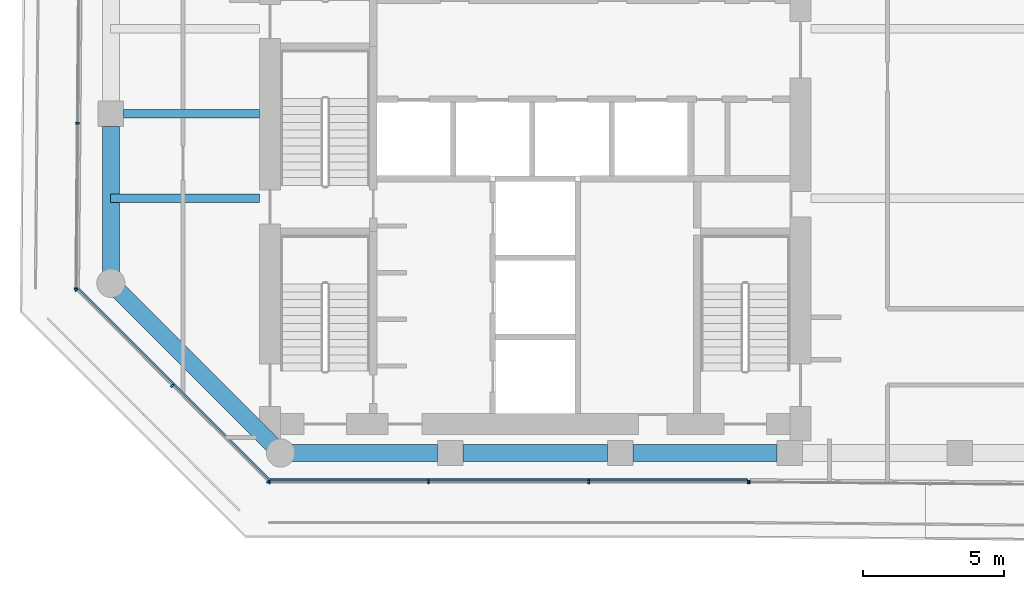
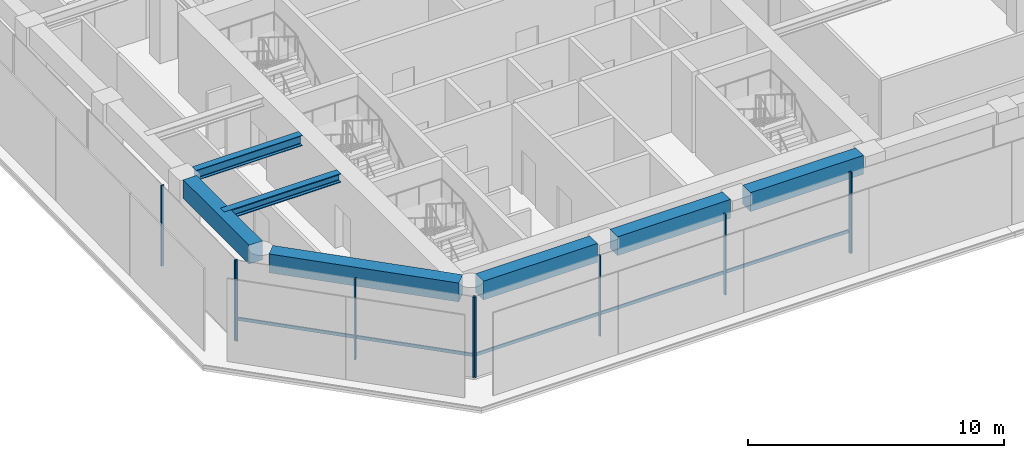
# One storey, part 2 of 23: 12 members, 7 beams, 4 elements without a shape of their own.
"""IFC4 building model written with IfcOpenShell, lengths in metres."""

from ifc_helpers import new_model, si_unit, direction, frame, origin, origin_2d, place, context, subcontext, project, spatial, rectangle, i_section, extrude, material, layer, layer_set, material_profile, profile_set, type_object, element, aggregate, save


model = new_model("IFC4")

# Units and contexts
model_context = context("Model", 3, precision=1e-05, world=origin(), true_north=direction((0.0, 1.0)))
body_context = subcontext(model_context, "Body", "Model", "MODEL_VIEW")
ifc_project = project(units=[si_unit("LENGTHUNIT", "METRE"), si_unit("AREAUNIT", "SQUARE_METRE"), si_unit("VOLUMEUNIT", "CUBIC_METRE"), si_unit("PLANEANGLEUNIT", "RADIAN"), si_unit("MASSUNIT", "GRAM", prefix="KILO")], contexts=[model_context])

# Site, building, storey
site_placement = place(None, origin())
site = spatial("IfcSite", under=ifc_project, at=site_placement, CompositionType="ELEMENT")
building_placement = place(site_placement, origin())
building = spatial("IfcBuilding", under=site, at=building_placement, Name="Welwitschia Terrace Campus", CompositionType="ELEMENT")
storey_placement = place(building_placement, frame((0.0, 0.0, 113.0)))
storey = spatial("IfcBuildingStorey", under=building, at=storey_placement, Name="L25", CompositionType="ELEMENT", Elevation=113.0)

# Beam
ifc_material_1 = material(Name="Steel S355", Category="steel")
ifc_material_profile_1 = material_profile(ifc_material_1, i_section(OverallWidth=0.306884765625, OverallDepth=0.431884765625, WebThickness=0.02099609375, FlangeThickness=0.0400390625, FilletRadius=0.027099609375, at=origin_2d()))
ifc_profile_set_1 = profile_set([ifc_material_profile_1], Name="Steel S355")
beam_type_1 = type_object("IfcBeamType", Name="Interior girder HE 400 M", PredefinedType="BEAM", material=ifc_profile_set_1)
beam_1_placement = place(storey_placement, frame((-0.010009765625, 13.0, 3.634033203125), z_axis=(1.0, 0.0, 0.0), x_axis=(0.0, 1.0, 0.0)))
element("IfcBeam", 1, at=beam_1_placement, inside=storey, type_object=beam_type_1, Name="Girder GB3", PredefinedType="BEAM", context=body_context, shape_type="SweptSolid", body=[
    extrude(i_section(OverallWidth=0.306884765625, OverallDepth=0.431884765625, WebThickness=0.02099609375, FlangeThickness=0.0400390625, FilletRadius=0.027099609375, at=origin_2d()), origin(), (0.0, 0.0, 1.0), 5.259033203125),
])

# Curtain wall, members
ifc_material_2 = material(Name="Bronze anodised aluminium", Category="aluminium")
ifc_layer = layer(ifc_material_2, 0.1201171875)
ifc_layer_set = layer_set([ifc_layer], Name="Bronze anodised aluminium")
curtain_wall_type = type_object("IfcCurtainWallType", Name="Curtain wall CW2 tower 6000", PredefinedType="NOTDEFINED", material=ifc_layer_set)
curtain_wall_1_placement = place(storey_placement, origin())
curtain_wall_1 = element("IfcCurtainWall", 2, at=curtain_wall_1_placement, inside=storey, type_object=curtain_wall_type, Name="CW L25.2.0", PredefinedType="NOTDEFINED")
ifc_material_3 = material(Name="Bronze anodised aluminium", Category="aluminium")
ifc_material_profile_2 = material_profile(ifc_material_3, rectangle(XDim=0.1201171875, YDim=0.06005859375, at=origin_2d()))
ifc_profile_set_2 = profile_set([ifc_material_profile_2], Name="Bronze anodised aluminium")
member_type_1 = type_object("IfcMemberType", Name="Mullion 60x120", PredefinedType="MULLION", material=ifc_profile_set_2)
member_1_placement = place(storey_placement, frame((-1.183837890625, 15.65673828125, 0.0), z_axis=(0.0, 0.0, 1.0), x_axis=(0.999961923064, -0.008726535498, 0.0)))
member_1 = element("IfcMember", 3, at=member_1_placement, type_object=member_type_1, Name="Mullion L25.2.0.3", PredefinedType="MULLION", context=body_context, shape_type="SweptSolid", body=[
    extrude(rectangle(XDim=0.1201171875, YDim=0.06005859375, at=origin_2d()), origin(), (0.0, 0.0, 1.0), 3.85009765625),
])
member_2_placement = place(storey_placement, frame((-1.23486328125, 9.81103515625, 0.0), z_axis=(0.0, 0.0, 1.0), x_axis=(0.999961923064, -0.008726535498, 0.0)))
member_2 = element("IfcMember", 4, at=member_2_placement, type_object=member_type_1, Name="Mullion L25.2.0.4", PredefinedType="MULLION", context=body_context, shape_type="SweptSolid", body=[
    extrude(rectangle(XDim=0.1201171875, YDim=0.06005859375, at=origin_2d()), origin(), (0.0, 0.0, 1.0), 3.85009765625),
])
aggregate(curtain_wall_1, [member_1, member_2])

curtain_wall_2_placement = place(storey_placement, origin())
curtain_wall_2 = element("IfcCurtainWall", 5, at=curtain_wall_2_placement, inside=storey, type_object=curtain_wall_type, Name="CW L25.3.0", PredefinedType="NOTDEFINED")
member_3_placement = place(storey_placement, frame((-1.2138671875, 9.759765625, 0.0), z_axis=(0.0, 0.0, 1.0), x_axis=(0.707238845283, 0.70697469242, 0.0)))
member_3 = element("IfcMember", 6, at=member_3_placement, type_object=member_type_1, Name="Mullion L25.3.0.0", PredefinedType="MULLION", context=body_context, shape_type="SweptSolid", body=[
    extrude(rectangle(XDim=0.1201171875, YDim=0.06005859375, at=origin_2d()), origin(), (0.0, 0.0, 1.0), 3.85009765625),
])
member_4_placement = place(storey_placement, frame((2.169189453125, 6.37548828125, 0.0), z_axis=(0.0, 0.0, 1.0), x_axis=(0.707238845283, 0.70697469242, 0.0)))
member_4 = element("IfcMember", 7, at=member_4_placement, type_object=member_type_1, Name="Mullion L25.3.0.1", PredefinedType="MULLION", context=body_context, shape_type="SweptSolid", body=[
    extrude(rectangle(XDim=0.1201171875, YDim=0.06005859375, at=origin_2d()), origin(), (0.0, 0.0, 1.0), 3.85009765625),
])
member_5_placement = place(storey_placement, frame((5.55224609375, 2.9912109375, 0.0), z_axis=(0.0, 0.0, 1.0), x_axis=(0.707238845283, 0.70697469242, 0.0)))
member_5 = element("IfcMember", 8, at=member_5_placement, type_object=member_type_1, Name="Mullion L25.3.0.2", PredefinedType="MULLION", context=body_context, shape_type="SweptSolid", body=[
    extrude(rectangle(XDim=0.1201171875, YDim=0.06005859375, at=origin_2d()), origin(), (0.0, 0.0, 1.0), 3.85009765625),
])

curtain_wall_3_placement = place(storey_placement, origin())
curtain_wall_3 = element("IfcCurtainWall", 9, at=curtain_wall_3_placement, inside=storey, type_object=curtain_wall_type, Name="CW L25.4.0", PredefinedType="NOTDEFINED")
member_6_placement = place(storey_placement, frame((5.603271484375, 2.969970703125, 0.0), z_axis=(0.0, 0.0, 1.0), x_axis=(0.0, 1.0, 0.0)))
member_6 = element("IfcMember", 10, at=member_6_placement, type_object=member_type_1, Name="Mullion L25.4.0.0", PredefinedType="MULLION", context=body_context, shape_type="SweptSolid", body=[
    extrude(rectangle(XDim=0.1201171875, YDim=0.06005859375, at=origin_2d()), origin(), (0.0, 0.0, 1.0), 3.85009765625),
])
member_7_placement = place(storey_placement, frame((11.231201171875, 2.969970703125, 0.0), z_axis=(0.0, 0.0, 1.0), x_axis=(0.0, 1.0, 0.0)))
member_7 = element("IfcMember", 11, at=member_7_placement, type_object=member_type_1, Name="Mullion L25.4.0.1", PredefinedType="MULLION", context=body_context, shape_type="SweptSolid", body=[
    extrude(rectangle(XDim=0.1201171875, YDim=0.06005859375, at=origin_2d()), origin(), (0.0, 0.0, 1.0), 3.85009765625),
])
member_8_placement = place(storey_placement, frame((16.88916015625, 2.969970703125, 0.0), z_axis=(0.0, 0.0, 1.0), x_axis=(0.0, 1.0, 0.0)))
member_8 = element("IfcMember", 12, at=member_8_placement, type_object=member_type_1, Name="Mullion L25.4.0.2", PredefinedType="MULLION", context=body_context, shape_type="SweptSolid", body=[
    extrude(rectangle(XDim=0.1201171875, YDim=0.06005859375, at=origin_2d()), origin(), (0.0, 0.0, 1.0), 3.85009765625),
])
member_9_placement = place(storey_placement, frame((22.51708984375, 2.969970703125, 0.0), z_axis=(0.0, 0.0, 1.0), x_axis=(0.0, 1.0, 0.0)))
member_9 = element("IfcMember", 13, at=member_9_placement, type_object=member_type_1, Name="Mullion L25.4.0.3", PredefinedType="MULLION", context=body_context, shape_type="SweptSolid", body=[
    extrude(rectangle(XDim=0.1201171875, YDim=0.06005859375, at=origin_2d()), origin(), (0.0, 0.0, 1.0), 3.85009765625),
])

# Curtain wall, member
curtain_wall_4_placement = place(storey_placement, origin())
curtain_wall_4 = element("IfcCurtainWall", 14, at=curtain_wall_4_placement, inside=storey, type_object=curtain_wall_type, Name="CW L25.5.0", PredefinedType="NOTDEFINED")
member_10_placement = place(storey_placement, frame((22.5771484375, 2.9697265625, 0.0), z_axis=(0.0, 0.0, 1.0), x_axis=(0.008726535498, 0.999961923064, 0.0)))
member_10 = element("IfcMember", 15, at=member_10_placement, type_object=member_type_1, Name="Mullion L25.5.0.0", PredefinedType="MULLION", context=body_context, shape_type="SweptSolid", body=[
    extrude(rectangle(XDim=0.1201171875, YDim=0.06005859375, at=origin_2d()), origin(), (0.0, 0.0, 1.0), 3.85009765625),
])
aggregate(curtain_wall_4, [member_10])

# Beams
ifc_material_4 = material(Name="Steel S355", Category="steel")
ifc_material_profile_3 = material_profile(ifc_material_4, i_section(OverallWidth=0.300048828125, OverallDepth=0.5, WebThickness=0.014404296875, FlangeThickness=0.028076171875, FilletRadius=0.027099609375, at=origin_2d()))
ifc_profile_set_3 = profile_set([ifc_material_profile_3], Name="Steel S355")
beam_type_2 = type_object("IfcBeamType", Name="Primary beam HE 500 B", PredefinedType="BEAM", material=ifc_profile_set_3)
beam_2_placement = place(storey_placement, frame((0.450439453125, 16.0, 3.60009765625), z_axis=(1.0, 0.0, 0.0), x_axis=(0.0, 1.0, 0.0)))
element("IfcBeam", 16, at=beam_2_placement, inside=storey, type_object=beam_type_2, Name="Primary beam PB3", PredefinedType="BEAM", context=body_context, shape_type="SweptSolid", body=[
    extrude(i_section(OverallWidth=0.300048828125, OverallDepth=0.5, WebThickness=0.014404296875, FlangeThickness=0.028076171875, FilletRadius=0.027099609375, at=origin_2d()), origin(), (0.0, 0.0, 1.0), 4.799560546875),
])
ifc_material_5 = material(Name="Concrete C60/75", Category="concrete")
ifc_material_profile_4 = material_profile(ifc_material_5, rectangle(XDim=0.60009765625, YDim=0.89990234375, at=origin_2d()))
ifc_profile_set_4 = profile_set([ifc_material_profile_4], Name="Concrete C60/75")
beam_type_3 = type_object("IfcBeamType", Name="Ring spandrel 600x900", PredefinedType="SPANDREL", material=ifc_profile_set_4)
beam_3_placement = place(storey_placement, frame((0.283203125, 9.716796875, 3.39990234375), z_axis=(0.707106781187, -0.707106781187, 0.0), x_axis=(0.707106781187, 0.707106781187, 0.0)))
element("IfcBeam", 17, at=beam_3_placement, inside=storey, type_object=beam_type_3, Name="Spandrel SP2", PredefinedType="SPANDREL", context=body_context, shape_type="SweptSolid", body=[
    extrude(rectangle(XDim=0.60009765625, YDim=0.89990234375, at=origin_2d()), origin(), (0.0, 0.0, 1.0), 7.684326171875),
])
beam_4_placement = place(storey_placement, frame((6.400390625, 4.0, 3.39990234375), z_axis=(1.0, 0.0, 0.0), x_axis=(0.0, 1.0, 0.0)))
element("IfcBeam", 18, at=beam_4_placement, inside=storey, type_object=beam_type_3, Name="Spandrel SP2", PredefinedType="SPANDREL", context=body_context, shape_type="SweptSolid", body=[
    extrude(rectangle(XDim=0.60009765625, YDim=0.89990234375, at=origin_2d()), origin(), (0.0, 0.0, 1.0), 5.149169921875),
])
for number, where, z_axis, x_axis, name in (
    (19, (12.450439453125, 4.0, 3.39990234375), (1.0, 0.0, 0.0), (0.0, 1.0, 0.0), "Spandrel SP2"),
    (20, (18.450439453125, 4.0, 3.39990234375), (1.0, 0.0, 0.0), (0.0, 1.0, 0.0), "Spandrel SP2"),
):
    element("IfcBeam", number, at=place(storey_placement, frame(where, z_axis=z_axis, x_axis=x_axis)), inside=storey, type_object=beam_type_3, Name=name, PredefinedType="SPANDREL", context=body_context, shape_type="SweptSolid", body=[
        extrude(rectangle(XDim=0.60009765625, YDim=0.89990234375, at=origin_2d()), origin(), (0.0, 0.0, 1.0), 5.09912109375),
    ])
beam_5_placement = place(storey_placement, frame((0.0, 15.549560546875, 3.39990234375), z_axis=(0.0, -1.0, 0.0), x_axis=(1.0, 0.0, 0.0)))
element("IfcBeam", 21, at=beam_5_placement, inside=storey, type_object=beam_type_3, Name="Spandrel SP2", PredefinedType="SPANDREL", context=body_context, shape_type="SweptSolid", body=[
    extrude(rectangle(XDim=0.60009765625, YDim=0.89990234375, at=origin_2d()), origin(), (0.0, 0.0, 1.0), 5.149169921875),
])

# Member
ifc_material_6 = material(Name="Bronze anodised aluminium", Category="aluminium")
ifc_material_profile_5 = material_profile(ifc_material_6, rectangle(XDim=0.06005859375, YDim=0.14990234375, at=origin_2d()))
ifc_profile_set_5 = profile_set([ifc_material_profile_5], Name="Bronze anodised aluminium")
member_type_2 = type_object("IfcMemberType", Name="Transom 60x150", PredefinedType="USERDEFINED", material=ifc_profile_set_5)
member_11_placement = place(storey_placement, frame((-1.129150390625, 9.80224609375, 1.0), z_axis=(0.706978414705, -0.707235124369, 0.0), x_axis=(0.707235124369, 0.706978414705, 0.0)))
member_11 = element("IfcMember", 22, at=member_11_placement, type_object=member_type_2, Name="Transom L25.3.0", ObjectType="TRANSOM", PredefinedType="USERDEFINED", context=body_context, shape_type="SweptSolid", body=[
    extrude(rectangle(XDim=0.06005859375, YDim=0.14990234375, at=origin_2d()), origin(), (0.0, 0.0, 1.0), 9.510498046875),
])

aggregate(curtain_wall_2, [member_3, member_4, member_5, member_11])

member_12_placement = place(storey_placement, frame((5.63330078125, 3.06005859375, 1.0), z_axis=(1.0, 0.0, 0.0), x_axis=(0.0, 1.0, 0.0)))
member_12 = element("IfcMember", 23, at=member_12_placement, type_object=member_type_2, Name="Transom L25.4.0", ObjectType="TRANSOM", PredefinedType="USERDEFINED", context=body_context, shape_type="SweptSolid", body=[
    extrude(rectangle(XDim=0.06005859375, YDim=0.14990234375, at=origin_2d()), origin(), (0.0, 0.0, 1.0), 16.853759765625),
])

aggregate(curtain_wall_3, [member_6, member_7, member_8, member_9, member_12])

save(model, "model.ifc")
